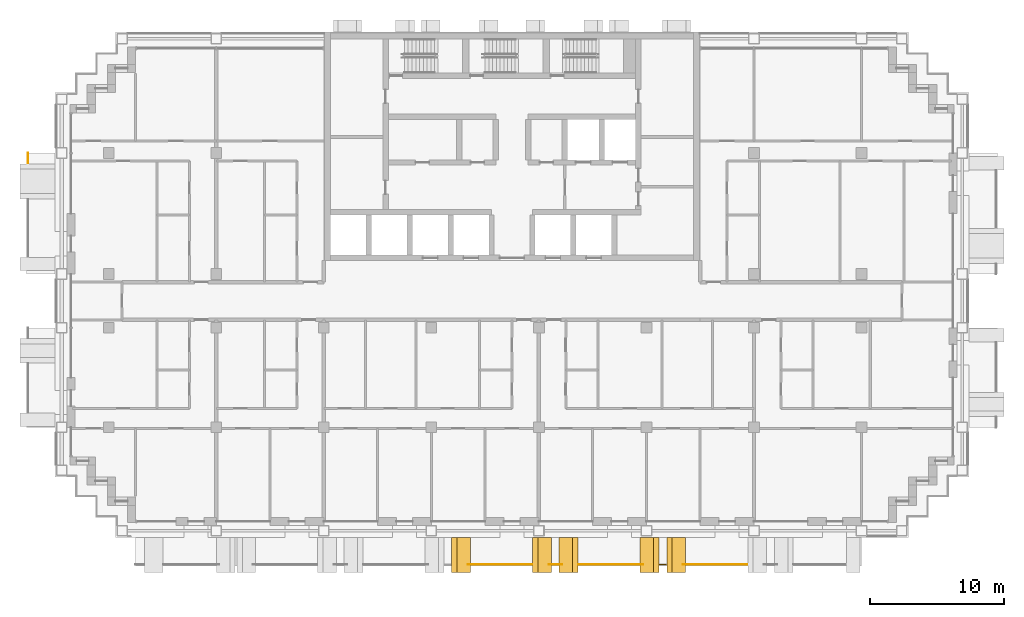
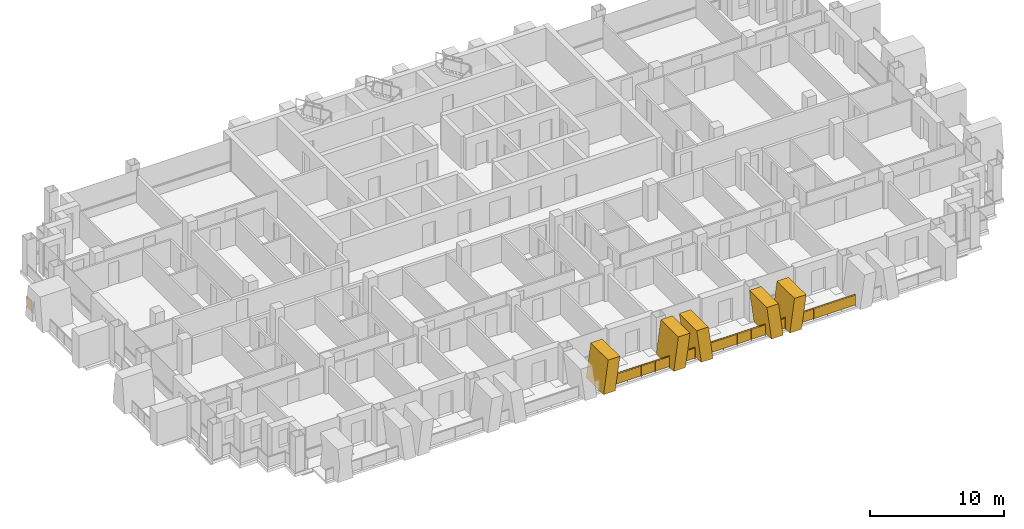
# One storey, part 15 of 18: 6 railings, 5 shading devices.
"""IFC4 building model written with IfcOpenShell, lengths in metres."""

from ifc_helpers import new_model, si_unit, direction, frame, origin, origin_2d, place, context, subcontext, project, spatial, polyline, rectangle, circle, outline, extrude, material, layer, layer_set, type_object, element, save


model = new_model("IFC4")

# Units and contexts
model_context = context("Model", 3, precision=1e-05, world=origin(), true_north=direction((0.0, 1.0)))
body_context = subcontext(model_context, "Body", "Model", "MODEL_VIEW")
ifc_project = project(units=[si_unit("LENGTHUNIT", "METRE"), si_unit("AREAUNIT", "SQUARE_METRE"), si_unit("VOLUMEUNIT", "CUBIC_METRE"), si_unit("PLANEANGLEUNIT", "RADIAN"), si_unit("MASSUNIT", "GRAM", prefix="KILO")], contexts=[model_context])

# Site, building, storey
site_placement = place(None, origin())
site = spatial("IfcSite", under=ifc_project, at=site_placement, CompositionType="ELEMENT")
building_placement = place(site_placement, origin())
building = spatial("IfcBuilding", under=site, at=building_placement, Name="Vidyagriha Tower", CompositionType="ELEMENT")
storey_placement = place(building_placement, frame((0.0, 0.0, 126.199951171875)))
storey = spatial("IfcBuildingStorey", under=building, at=storey_placement, Name="L32", CompositionType="ELEMENT", Elevation=126.199951171875)

# Railings
ifc_material_1 = material(Name="Steel ASTM A500 Grade C black painted", Category="steel")
railing_type = type_object("IfcRailingType", Name="Balcony guard 1100", PredefinedType="BALUSTRADE", material=ifc_material_1)
railing_1_placement = place(storey_placement, frame((-36.0, 11.0, 0.0)))
element("IfcRailing", 1, at=railing_1_placement, inside=storey, type_object=railing_type, Name="Balcony guard L32 R16.1-1", PredefinedType="BALUSTRADE", context=body_context, shape_type="SweptSolid", body=[
    extrude(circle(Radius=0.02490234375, at=origin_2d()), frame((0.0, 0.0, 1.0751953125), z_axis=(0.0, -1.0, 0.0), x_axis=(1.0, 0.0, 0.0)), (0.0, 0.0, 1.0), 0.75),
    extrude(circle(Radius=0.02001953125, at=origin_2d()), origin(), (0.0, 0.0, 1.0), 1.050048828125),
    extrude(circle(Radius=0.02001953125, at=origin_2d()), frame((0.0, -0.75, 0.0)), (0.0, 0.0, 1.0), 1.050048828125),
    extrude(rectangle(XDim=0.010009765625, YDim=0.900146484375, at=origin_2d()), frame((0.0, 0.0, 0.550048828125), z_axis=(0.0, -1.0, 0.0), x_axis=(1.0, 0.0, 0.0)), (0.0, 0.0, 1.0), 0.75),
])
railing_2_placement = place(storey_placement, frame((-3.28369140625, -19.60009765625, 0.0)))
element("IfcRailing", 2, at=railing_2_placement, inside=storey, type_object=railing_type, Name="Balcony guard L32 R23.1-7", PredefinedType="BALUSTRADE", context=body_context, shape_type="SweptSolid", body=[
    extrude(circle(Radius=0.02490234375, at=origin_2d()), frame((0.0, 0.0, 1.0751953125), z_axis=(1.0, 0.0, 0.0), x_axis=(0.0, 1.0, 0.0)), (0.0, 0.0, 1.0), 4.773681640625),
    extrude(circle(Radius=0.02001953125, at=origin_2d()), origin(), (0.0, 0.0, 1.0), 1.050048828125),
    extrude(circle(Radius=0.02001953125, at=origin_2d()), frame((1.193359375, 0.0, 0.0)), (0.0, 0.0, 1.0), 1.050048828125),
    extrude(circle(Radius=0.02001953125, at=origin_2d()), frame((2.38671875, 0.0, 0.0)), (0.0, 0.0, 1.0), 1.050048828125),
    extrude(circle(Radius=0.02001953125, at=origin_2d()), frame((3.580322265625, 0.0, 0.0)), (0.0, 0.0, 1.0), 1.050048828125),
    extrude(circle(Radius=0.02001953125, at=origin_2d()), frame((4.773681640625, 0.0, 0.0)), (0.0, 0.0, 1.0), 1.050048828125),
    extrude(rectangle(XDim=0.010009765625, YDim=0.900146484375, at=origin_2d()), frame((0.0, 0.0, 0.550048828125), z_axis=(1.0, 0.0, 0.0), x_axis=(0.0, 1.0, 0.0)), (0.0, 0.0, 1.0), 4.773681640625),
])
railing_3_placement = place(storey_placement, frame((2.741455078125, -19.60009765625, 0.0)))
element("IfcRailing", 3, at=railing_3_placement, inside=storey, type_object=railing_type, Name="Balcony guard L32 R23.1-8", PredefinedType="BALUSTRADE", context=body_context, shape_type="SweptSolid", body=[
    extrude(circle(Radius=0.02490234375, at=origin_2d()), frame((0.0, 0.0, 1.0751953125), z_axis=(1.0, 0.0, 0.0), x_axis=(0.0, 1.0, 0.0)), (0.0, 0.0, 1.0), 0.967041015625),
    extrude(circle(Radius=0.02001953125, at=origin_2d()), origin(), (0.0, 0.0, 1.0), 1.050048828125),
    extrude(circle(Radius=0.02001953125, at=origin_2d()), frame((0.967041015625, 0.0, 0.0)), (0.0, 0.0, 1.0), 1.050048828125),
    extrude(rectangle(XDim=0.010009765625, YDim=0.900146484375, at=origin_2d()), frame((0.0, 0.0, 0.550048828125), z_axis=(1.0, 0.0, 0.0), x_axis=(0.0, 1.0, 0.0)), (0.0, 0.0, 1.0), 0.967041015625),
])
railing_4_placement = place(storey_placement, frame((4.9599609375, -19.60009765625, 0.0)))
element("IfcRailing", 4, at=railing_4_placement, inside=storey, type_object=railing_type, Name="Balcony guard L32 R23.1-9", PredefinedType="BALUSTRADE", context=body_context, shape_type="SweptSolid", body=[
    extrude(circle(Radius=0.02490234375, at=origin_2d()), frame((0.0, 0.0, 1.0751953125), z_axis=(1.0, 0.0, 0.0), x_axis=(0.0, 1.0, 0.0)), (0.0, 0.0, 1.0), 4.773681640625),
    extrude(circle(Radius=0.02001953125, at=origin_2d()), origin(), (0.0, 0.0, 1.0), 1.050048828125),
    extrude(circle(Radius=0.02001953125, at=origin_2d()), frame((1.193359375, 0.0, 0.0)), (0.0, 0.0, 1.0), 1.050048828125),
    extrude(circle(Radius=0.02001953125, at=origin_2d()), frame((2.38671875, 0.0, 0.0)), (0.0, 0.0, 1.0), 1.050048828125),
    extrude(circle(Radius=0.02001953125, at=origin_2d()), frame((3.580322265625, 0.0, 0.0)), (0.0, 0.0, 1.0), 1.050048828125),
    extrude(circle(Radius=0.02001953125, at=origin_2d()), frame((4.773681640625, 0.0, 0.0)), (0.0, 0.0, 1.0), 1.050048828125),
    extrude(rectangle(XDim=0.010009765625, YDim=0.900146484375, at=origin_2d()), frame((0.0, 0.0, 0.550048828125), z_axis=(1.0, 0.0, 0.0), x_axis=(0.0, 1.0, 0.0)), (0.0, 0.0, 1.0), 4.773681640625),
])
railing_5_placement = place(storey_placement, frame((10.985107421875, -19.60009765625, 0.0)))
element("IfcRailing", 5, at=railing_5_placement, inside=storey, type_object=railing_type, Name="Balcony guard L32 R23.1-10", PredefinedType="BALUSTRADE", context=body_context, shape_type="SweptSolid", body=[
    extrude(circle(Radius=0.02490234375, at=origin_2d()), frame((0.0, 0.0, 1.0751953125), z_axis=(1.0, 0.0, 0.0), x_axis=(0.0, 1.0, 0.0)), (0.0, 0.0, 1.0), 0.47998046875),
    extrude(circle(Radius=0.02001953125, at=origin_2d()), origin(), (0.0, 0.0, 1.0), 1.050048828125),
    extrude(circle(Radius=0.02001953125, at=origin_2d()), frame((0.47998046875, 0.0, 0.0)), (0.0, 0.0, 1.0), 1.050048828125),
    extrude(rectangle(XDim=0.010009765625, YDim=0.900146484375, at=origin_2d()), frame((0.0, 0.0, 0.550048828125), z_axis=(1.0, 0.0, 0.0), x_axis=(0.0, 1.0, 0.0)), (0.0, 0.0, 1.0), 0.47998046875),
])
railing_6_placement = place(storey_placement, frame((12.71630859375, -19.60009765625, 0.0)))
element("IfcRailing", 6, at=railing_6_placement, inside=storey, type_object=railing_type, Name="Balcony guard L32 R23.1-11", PredefinedType="BALUSTRADE", context=body_context, shape_type="SweptSolid", body=[
    extrude(circle(Radius=0.02490234375, at=origin_2d()), frame((0.0, 0.0, 1.0751953125), z_axis=(1.0, 0.0, 0.0), x_axis=(0.0, 1.0, 0.0)), (0.0, 0.0, 1.0), 4.773681640625),
    extrude(circle(Radius=0.02001953125, at=origin_2d()), origin(), (0.0, 0.0, 1.0), 1.050048828125),
    extrude(circle(Radius=0.02001953125, at=origin_2d()), frame((1.193359375, 0.0, 0.0)), (0.0, 0.0, 1.0), 1.050048828125),
    extrude(circle(Radius=0.02001953125, at=origin_2d()), frame((2.38671875, 0.0, 0.0)), (0.0, 0.0, 1.0), 1.050048828125),
    extrude(circle(Radius=0.02001953125, at=origin_2d()), frame((3.580322265625, 0.0, 0.0)), (0.0, 0.0, 1.0), 1.050048828125),
    extrude(circle(Radius=0.02001953125, at=origin_2d()), frame((4.773681640625, 0.0, 0.0)), (0.0, 0.0, 1.0), 1.050048828125),
    extrude(rectangle(XDim=0.010009765625, YDim=0.900146484375, at=origin_2d()), frame((0.0, 0.0, 0.550048828125), z_axis=(1.0, 0.0, 0.0), x_axis=(0.0, 1.0, 0.0)), (0.0, 0.0, 1.0), 4.773681640625),
])

# Shading devices
ifc_material_2 = material(Name="Precast concrete C40/50 with buff brick facing", Category="concrete")
ifc_layer = layer(ifc_material_2, 1.0)
ifc_layer_set = layer_set([ifc_layer], Name="Precast concrete C40/50 with buff brick facing")
shading_device_type = type_object("IfcShadingDeviceType", Name="Brick-faced blade fin arm leaning 8 degrees", PredefinedType="USERDEFINED", material=ifc_layer_set)
for number, where, name in (
    (7, (-4.485107421875, -18.89990234375, 0.0), "Leaning blade fin L32 R23.2200a"),
    (8, (1.5400390625, -18.89990234375, 0.0), "Leaning blade fin L32 R23.3000a"),
):
    element("IfcShadingDevice", number, at=place(storey_placement, frame(where)), inside=storey, type_object=shading_device_type, Name=name, ObjectType="BLADE FIN", PredefinedType="USERDEFINED", context=body_context, shape_type="SweptSolid", body=[
        extrude(outline(polyline([(0.0, 0.0), (1.0, 0.0), (1.39501953125, 3.0), (0.39501953125, 3.0), (0.0, 0.0)])), frame((0.0, 1.300048828125, 0.0), z_axis=(0.0, -1.0, 0.0), x_axis=(1.0, 0.0, 0.0)), (0.0, 0.0, 1.0), 2.60009765625),
    ])
shading_device_1_placement = place(storey_placement, frame((3.514892578125, -18.89990234375, 0.0)))
element("IfcShadingDevice", 9, at=shading_device_1_placement, inside=storey, type_object=shading_device_type, Name="Leaning blade fin L32 R23.3000b", ObjectType="BLADE FIN", PredefinedType="USERDEFINED", context=body_context, shape_type="SweptSolid", body=[
    extrude(outline(polyline([(0.39501953125, 0.0), (1.39501953125, 0.0), (1.0, 3.0), (0.0, 3.0), (0.39501953125, 0.0)])), frame((0.0, 1.300048828125, 0.0), z_axis=(0.0, -1.0, 0.0), x_axis=(1.0, 0.0, 0.0)), (0.0, 0.0, 1.0), 2.60009765625),
])
shading_device_2_placement = place(storey_placement, frame((11.514892578125, -18.89990234375, 0.0)))
element("IfcShadingDevice", 10, at=shading_device_2_placement, inside=storey, type_object=shading_device_type, Name="Leaning blade fin L32 R23.3800a", ObjectType="BLADE FIN", PredefinedType="USERDEFINED", context=body_context, shape_type="SweptSolid", body=[
    extrude(outline(polyline([(0.0, 0.0), (1.0, 0.0), (1.39501953125, 3.0), (0.39501953125, 3.0), (0.0, 0.0)])), frame((0.0, 1.300048828125, 0.0), z_axis=(0.0, -1.0, 0.0), x_axis=(1.0, 0.0, 0.0)), (0.0, 0.0, 1.0), 2.60009765625),
])
shading_device_3_placement = place(storey_placement, frame((9.5400390625, -18.89990234375, 0.0)))
element("IfcShadingDevice", 11, at=shading_device_3_placement, inside=storey, type_object=shading_device_type, Name="Leaning blade fin L32 R23.3800b", ObjectType="BLADE FIN", PredefinedType="USERDEFINED", context=body_context, shape_type="SweptSolid", body=[
    extrude(outline(polyline([(0.39501953125, 0.0), (1.39501953125, 0.0), (1.0, 3.0), (0.0, 3.0), (0.39501953125, 0.0)])), frame((0.0, 1.300048828125, 0.0), z_axis=(0.0, -1.0, 0.0), x_axis=(1.0, 0.0, 0.0)), (0.0, 0.0, 1.0), 2.60009765625),
])

save(model, "model.ifc")
